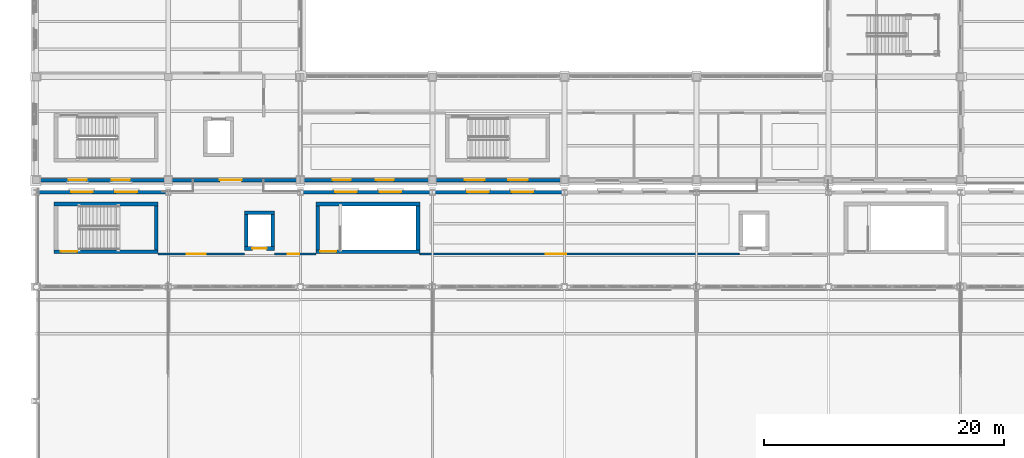
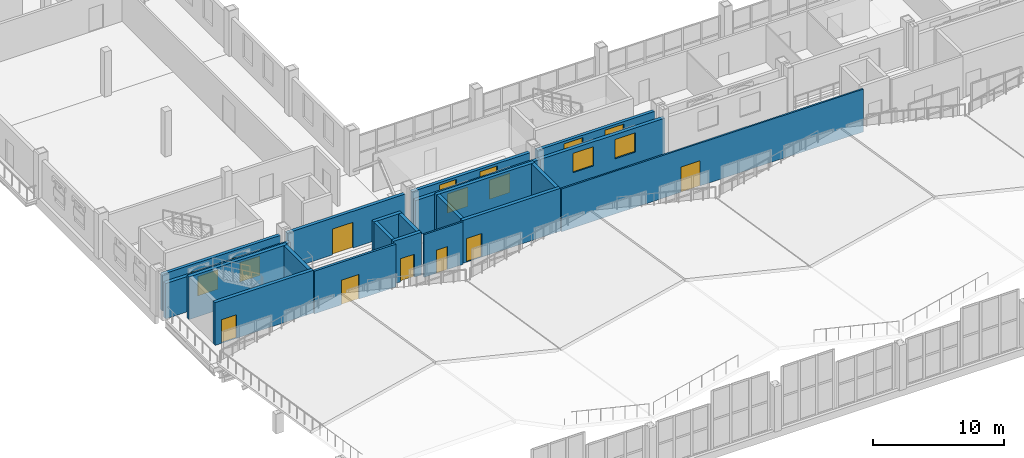
# One storey, part 94 of 120: 21 walls, 12 windows, 7 doors, 19 openings.
"""IFC4 building model written with IfcOpenShell, lengths in metres."""

from ifc_helpers import new_model, si_unit, direction, frame, frame_2d, origin, place, context, subcontext, project, spatial, rectangle, extrude, material, layer, layer_set, type_object, element, fill, save


model = new_model("IFC4")

# Units and contexts
model_context = context("Model", 3, precision=1e-05, world=origin(), true_north=direction((0.0, 1.0)))
body_context = subcontext(model_context, "Body", "Model", "MODEL_VIEW")
ifc_project = project(units=[si_unit("LENGTHUNIT", "METRE"), si_unit("AREAUNIT", "SQUARE_METRE"), si_unit("VOLUMEUNIT", "CUBIC_METRE"), si_unit("PLANEANGLEUNIT", "RADIAN"), si_unit("MASSUNIT", "GRAM", prefix="KILO")], contexts=[model_context])

# Site, building, storey
site_placement = place(None, origin())
site = spatial("IfcSite", under=ifc_project, at=site_placement, CompositionType="ELEMENT")
building_placement = place(site_placement, origin())
building = spatial("IfcBuilding", under=site, at=building_placement, Name="Caurita Quay Ferry Terminal", CompositionType="ELEMENT")
storey_placement = place(building_placement, frame((0.0, 0.0, 9.89990234375)))
storey = spatial("IfcBuildingStorey", under=building, at=storey_placement, Name="L02", CompositionType="ELEMENT", Elevation=9.89990234375)

# Wall, opening, door
ifc_material_1 = material(Name="Reinforced concrete C35/45", Category="concrete")
ifc_layer_1 = layer(ifc_material_1, 0.300048828125, Name="Interior shear wall 300 mm")
ifc_layer_set_1 = layer_set([ifc_layer_1], Name="Reinforced concrete C35/45")
wall_type_1 = type_object("IfcWallType", Name="WL-CORE-300", PredefinedType="SHEAR", material=ifc_layer_set_1)
wall_1_placement = place(storey_placement, frame((1.5, 65.64990234375, 0.0), z_axis=(0.0, 0.0, 1.0), x_axis=(1.0, 0.0, 0.0)))
wall_1 = element("IfcWall", 1, at=wall_1_placement, inside=storey, type_object=wall_type_1, Name="L02 ST-05 Core Wall South", PredefinedType="SHEAR", context=body_context, shape_type="SweptSolid", body=[
    extrude(rectangle(XDim=8.64990234375, YDim=0.300048828125, at=frame_2d((4.324951171875, 0.0))), origin(), (0.0, 0.0, 1.0), 3.97998046875),
])
opening_1_placement = place(wall_1_placement, frame((0.550048828125, 0.0, 0.0)))
opening_1 = element("IfcOpeningElement", 2, at=opening_1_placement, cuts=wall_1, Name="Opening SD-01", PredefinedType="OPENING", context=body_context, shape_type="SweptSolid", body=[
    extrude(rectangle(XDim=1.35009765625, YDim=2.199951171875, at=frame_2d((0.675048828125, 1.10009765625))), frame((0.0, 0.159912109375, 0.0), z_axis=(0.0, -1.0, 0.0), x_axis=(1.0, 0.0, 0.0)), (0.0, 0.0, 1.0), 0.320068359375),
])
ifc_material_2 = material(Name="Anodized aluminium 6063-T6", Category="aluminium")
door_type_1 = type_object("IfcDoorType", Name="DR-ST-1200", OperationType="NOTDEFINED", PredefinedType="DOOR", material=ifc_material_2)
door_1_placement = place(opening_1_placement, origin())
door_1 = element("IfcDoor", 3, at=door_1_placement, inside=storey, type_object=door_type_1, Name="L02 Exit Stair ST-05 Fire Door", OperationType="SINGLE_SWING_RIGHT", OverallHeight=2.199951171875, OverallWidth=1.35009765625, PredefinedType="DOOR", context=body_context, shape_type="SweptSolid", body=[
    extrude(rectangle(XDim=1.35009765625, YDim=2.199951171875, at=frame_2d((0.675048828125, 1.10009765625))), frame((0.0, 0.02490234375, 0.0), z_axis=(0.0, -1.0, 0.0), x_axis=(1.0, 0.0, 0.0)), (0.0, 0.0, 1.0), 0.050048828125),
])
fill(opening_1, door_1)

# Walls
wall_2_placement = place(storey_placement, frame((10.14990234375, 69.610107421875, 0.0), z_axis=(0.0, 0.0, 1.0), x_axis=(-1.0, 0.0, 0.0)))
element("IfcWall", 4, at=wall_2_placement, inside=storey, type_object=wall_type_1, Name="L02 ST-05 Core Wall North", PredefinedType="SHEAR", context=body_context, shape_type="SweptSolid", body=[
    extrude(rectangle(XDim=8.64990234375, YDim=0.300048828125, at=frame_2d((4.324951171875, 0.0))), origin(), (0.0, 0.0, 1.0), 3.97998046875),
])
wall_3_placement = place(storey_placement, frame((10.0, 65.800048828125, 0.0), z_axis=(0.0, 0.0, 1.0), x_axis=(0.0, 1.0, 0.0)))
element("IfcWall", 5, at=wall_3_placement, inside=storey, type_object=wall_type_1, Name="L02 ST-05 Core Wall East", PredefinedType="SHEAR", context=body_context, shape_type="SweptSolid", body=[
    extrude(rectangle(XDim=3.659912109375, YDim=0.300048828125, at=frame_2d((1.830078125, 0.0))), origin(), (0.0, 0.0, 1.0), 3.97998046875),
])

# Wall, opening, door
wall_4_placement = place(storey_placement, frame((23.300048828125, 65.64990234375, 0.0), z_axis=(0.0, 0.0, 1.0), x_axis=(1.0, 0.0, 0.0)))
wall_4 = element("IfcWall", 6, at=wall_4_placement, inside=storey, type_object=wall_type_1, Name="L02 ST-06 Core Wall South", PredefinedType="SHEAR", context=body_context, shape_type="SweptSolid", body=[
    extrude(rectangle(XDim=8.64990234375, YDim=0.300048828125, at=frame_2d((4.324951171875, 0.0))), origin(), (0.0, 0.0, 1.0), 3.989990234375),
])
opening_2_placement = place(wall_4_placement, frame((0.35009765625, 0.0, 0.0)))
opening_2 = element("IfcOpeningElement", 7, at=opening_2_placement, cuts=wall_4, Name="Opening SD-01", PredefinedType="OPENING", context=body_context, shape_type="SweptSolid", body=[
    extrude(rectangle(XDim=1.35009765625, YDim=2.199951171875, at=frame_2d((0.675048828125, 1.10009765625))), frame((0.0, 0.159912109375, 0.0), z_axis=(0.0, -1.0, 0.0), x_axis=(1.0, 0.0, 0.0)), (0.0, 0.0, 1.0), 0.320068359375),
])
door_2_placement = place(opening_2_placement, origin())
door_2 = element("IfcDoor", 8, at=door_2_placement, inside=storey, type_object=door_type_1, Name="L02 Exit Stair ST-06 Fire Door", OperationType="SINGLE_SWING_RIGHT", OverallHeight=2.199951171875, OverallWidth=1.35009765625, PredefinedType="DOOR", context=body_context, shape_type="SweptSolid", body=[
    extrude(rectangle(XDim=1.35009765625, YDim=2.199951171875, at=frame_2d((0.675048828125, 1.10009765625))), frame((0.0, 0.02490234375, 0.0), z_axis=(0.0, -1.0, 0.0), x_axis=(1.0, 0.0, 0.0)), (0.0, 0.0, 1.0), 0.050048828125),
])
fill(opening_2, door_2)

# Walls
wall_5_placement = place(storey_placement, frame((31.949951171875, 69.610107421875, 0.0), z_axis=(0.0, 0.0, 1.0), x_axis=(-1.0, 0.0, 0.0)))
element("IfcWall", 9, at=wall_5_placement, inside=storey, type_object=wall_type_1, Name="L02 ST-06 Core Wall North", PredefinedType="SHEAR", context=body_context, shape_type="SweptSolid", body=[
    extrude(rectangle(XDim=8.64990234375, YDim=0.300048828125, at=frame_2d((4.324951171875, 0.0))), origin(), (0.0, 0.0, 1.0), 3.989990234375),
])
for number, where, z_axis, x_axis, name in (
    (10, (23.449951171875, 69.4599609375, 0.0), (0.0, 0.0, 1.0), (0.0, -1.0, 0.0), "L02 ST-06 Core Wall West"),
    (11, (31.800048828125, 65.800048828125, 0.0), (0.0, 0.0, 1.0), (0.0, 1.0, 0.0), "L02 ST-06 Core Wall East"),
):
    element("IfcWall", number, at=place(storey_placement, frame(where, z_axis=z_axis, x_axis=x_axis)), inside=storey, type_object=wall_type_1, Name=name, PredefinedType="SHEAR", context=body_context, shape_type="SweptSolid", body=[
        extrude(rectangle(XDim=3.659912109375, YDim=0.300048828125, at=frame_2d((1.830078125, 0.0))), origin(), (0.0, 0.0, 1.0), 3.989990234375),
    ])

# Wall, opening, door
wall_6_placement = place(storey_placement, frame((17.35498046875, 65.905029296875, 0.0), z_axis=(0.0, 0.0, 1.0), x_axis=(1.0, 0.0, 0.0)))
wall_6 = element("IfcWall", 12, at=wall_6_placement, inside=storey, type_object=wall_type_1, Name="L02 Lift LP-01 Shaft Wall South", PredefinedType="SHEAR", context=body_context, shape_type="SweptSolid", body=[
    extrude(rectangle(XDim=2.489990234375, YDim=0.300048828125, at=frame_2d((1.2451171875, 0.0))), origin(), (0.0, 0.0, 1.0), 3.97998046875),
])
opening_3_placement = place(wall_6_placement, frame((0.64501953125, 0.0, 0.0)))
opening_3 = element("IfcOpeningElement", 13, at=opening_3_placement, cuts=wall_6, Name="Opening LD-02", PredefinedType="OPENING", context=body_context, shape_type="SweptSolid", body=[
    extrude(rectangle(XDim=1.199951171875, YDim=2.14990234375, at=frame_2d((0.60009765625, 1.074951171875))), frame((0.0, 0.159912109375, 0.0), z_axis=(0.0, -1.0, 0.0), x_axis=(1.0, 0.0, 0.0)), (0.0, 0.0, 1.0), 0.320068359375),
])
ifc_material_3 = material(Name="Bronze architectural metalwork", Category="metal")
door_type_2 = type_object("IfcDoorType", Name="DR-LD-02", OperationType="DOUBLE_DOOR_SLIDING", PredefinedType="DOOR", material=ifc_material_3)
door_3_placement = place(opening_3_placement, frame((1.199951171875, 0.0, 0.0), z_axis=(0.0, 0.0, 1.0), x_axis=(-1.0, 0.0, 0.0)))
door_3 = element("IfcDoor", 14, at=door_3_placement, inside=storey, type_object=door_type_2, Name="L02 Lift LP-01 Sliding Landing Door", OperationType="DOUBLE_DOOR_SLIDING", OverallHeight=2.14990234375, OverallWidth=1.199951171875, PredefinedType="DOOR", context=body_context, shape_type="SweptSolid", body=[
    extrude(rectangle(XDim=1.199951171875, YDim=2.14990234375, at=frame_2d((0.60009765625, 1.074951171875))), frame((0.0, 0.02490234375, 0.0), z_axis=(0.0, -1.0, 0.0), x_axis=(1.0, 0.0, 0.0)), (0.0, 0.0, 1.0), 0.050048828125),
])
fill(opening_3, door_3)

# Walls
wall_7_placement = place(storey_placement, frame((19.844970703125, 68.89501953125, 0.0), z_axis=(0.0, 0.0, 1.0), x_axis=(-1.0, 0.0, 0.0)))
element("IfcWall", 15, at=wall_7_placement, inside=storey, type_object=wall_type_1, Name="L02 Lift LP-01 Shaft Wall North", PredefinedType="SHEAR", context=body_context, shape_type="SweptSolid", body=[
    extrude(rectangle(XDim=2.489990234375, YDim=0.300048828125, at=frame_2d((1.2451171875, 0.0))), origin(), (0.0, 0.0, 1.0), 3.97998046875),
])
for number, where, z_axis, x_axis, name in (
    (16, (17.5048828125, 68.7451171875, 0.0), (0.0, 0.0, 1.0), (0.0, -1.0, 0.0), "L02 Lift LP-01 Shaft Wall West"),
    (17, (19.695068359375, 66.054931640625, 0.0), (0.0, 0.0, 1.0), (0.0, 1.0, 0.0), "L02 Lift LP-01 Shaft Wall East"),
):
    element("IfcWall", number, at=place(storey_placement, frame(where, z_axis=z_axis, x_axis=x_axis)), inside=storey, type_object=wall_type_1, Name=name, PredefinedType="SHEAR", context=body_context, shape_type="SweptSolid", body=[
        extrude(rectangle(XDim=2.690185546875, YDim=0.300048828125, at=frame_2d((1.34521484375, 0.0))), origin(), (0.0, 0.0, 1.0), 3.97998046875),
    ])

# Wall, opening, door
ifc_material_4 = material(Name="Warm-white lime stucco masonry", Category="masonry")
ifc_layer_2 = layer(ifc_material_4, 0.199951171875, Name="Interior partitioning wall 200 mm")
ifc_layer_set_2 = layer_set([ifc_layer_2], Name="Warm-white lime stucco masonry")
wall_type_2 = type_object("IfcWallType", Name="WL-CORR-200", PredefinedType="PARTITIONING", material=ifc_layer_set_2)
wall_8_placement = place(storey_placement, frame((10.159912109375, 65.449951171875, 0.0), z_axis=(0.0, 0.0, 1.0), x_axis=(1.0, 0.0, 0.0)))
wall_8 = element("IfcWall", 18, at=wall_8_placement, inside=storey, type_object=wall_type_2, Name="L02 Interior Partition IW-L02-074", PredefinedType="PARTITIONING", context=body_context, shape_type="SweptSolid", body=[
    extrude(rectangle(XDim=7.190185546875, YDim=0.199951171875, at=frame_2d((3.59521484375, 0.0))), origin(), (0.0, 0.0, 1.0), 3.97998046875),
])
opening_4_placement = place(wall_8_placement, frame((2.39990234375, 0.0, 0.0)))
opening_4 = element("IfcOpeningElement", 19, at=opening_4_placement, cuts=wall_8, Name="Opening ID-10", PredefinedType="OPENING", context=body_context, shape_type="SweptSolid", body=[
    extrude(rectangle(XDim=1.550048828125, YDim=2.300048828125, at=frame_2d((0.77490234375, 1.14990234375))), frame((0.0, 0.10986328125, 0.0), z_axis=(0.0, -1.0, 0.0), x_axis=(1.0, 0.0, 0.0)), (0.0, 0.0, 1.0), 0.219970703125),
])
ifc_material_5 = material(Name="Tropical mahogany hardwood", Category="wood")
door_type_3 = type_object("IfcDoorType", Name="DR-CONC-1550", OperationType="NOTDEFINED", PredefinedType="DOOR", material=ifc_material_5)
door_4_placement = place(opening_4_placement, origin())
door_4 = element("IfcDoor", 20, at=door_4_placement, inside=storey, type_object=door_type_3, Name="Mezzanine Lift Lobby West Gallery Door", OperationType="SINGLE_SWING_LEFT", OverallHeight=2.300048828125, OverallWidth=1.550048828125, PredefinedType="DOOR", context=body_context, shape_type="SweptSolid", body=[
    extrude(rectangle(XDim=1.550048828125, YDim=2.300048828125, at=frame_2d((0.77490234375, 1.14990234375))), frame((0.0, 0.02490234375, 0.0), z_axis=(0.0, -1.0, 0.0), x_axis=(1.0, 0.0, 0.0)), (0.0, 0.0, 1.0), 0.050048828125),
])
fill(opening_4, door_4)

# Wall, openings, windows
ifc_layer_3 = layer(ifc_material_4, 0.280029296875, Name="Exterior solidwall wall 280 mm")
ifc_layer_set_3 = layer_set([ifc_layer_3], Name="Warm-white lime stucco masonry")
wall_type_3 = type_object("IfcWallType", Name="WL-EXT-280", PredefinedType="SOLIDWALL", material=ifc_layer_set_3)
wall_9_placement = place(storey_placement, frame((0.298095703125, 71.60009765625, 0.0), z_axis=(0.0, 0.0, 1.0), x_axis=(1.0, 0.0, 0.0)))
wall_9 = element("IfcWall", 21, at=wall_9_placement, inside=storey, type_object=wall_type_3, Name="L02 Exterior Wall EW-L02-069", PredefinedType="SOLIDWALL", context=body_context, shape_type="SweptSolid", body=[
    extrude(rectangle(XDim=10.40380859375, YDim=0.280029296875, at=frame_2d((5.201904296875, 0.0))), origin(), (0.0, 0.0, 1.0), 3.425048828125),
])
opening_5_placement = place(wall_9_placement, frame((2.402099609375, 0.0, 0.949951171875)))
opening_5 = element("IfcOpeningElement", 22, at=opening_5_placement, cuts=wall_9, Name="Opening W-06", PredefinedType="OPENING", context=body_context, shape_type="SweptSolid", body=[
    extrude(rectangle(XDim=1.5, YDim=1.800048828125, at=frame_2d((0.75, 0.89990234375))), frame((0.0, 0.14990234375, 0.0), z_axis=(0.0, -1.0, 0.0), x_axis=(1.0, 0.0, 0.0)), (0.0, 0.0, 1.0), 0.300048828125),
])
opening_6_placement = place(wall_9_placement, frame((6.001953125, 0.0, 0.949951171875)))
opening_6 = element("IfcOpeningElement", 23, at=opening_6_placement, cuts=wall_9, Name="Opening W-06", PredefinedType="OPENING", context=body_context, shape_type="SweptSolid", body=[
    extrude(rectangle(XDim=1.5, YDim=1.800048828125, at=frame_2d((0.75, 0.89990234375))), frame((0.0, 0.14990234375, 0.0), z_axis=(0.0, -1.0, 0.0), x_axis=(1.0, 0.0, 0.0)), (0.0, 0.0, 1.0), 0.300048828125),
])
ifc_material_6 = material(Name="Laminated solar-control insulated glass", Category="glass")
window_type_1 = type_object("IfcWindowType", Name="WIN-SC-1518", PartitioningType="SINGLE_PANEL", PredefinedType="WINDOW", material=ifc_material_6)
window_1_placement = place(opening_5_placement, origin())
window_1 = element("IfcWindow", 24, at=window_1_placement, inside=storey, type_object=window_type_1, Name="L02 Casement Window WN-L02-103", OverallHeight=1.800048828125, OverallWidth=1.5, PartitioningType="SINGLE_PANEL", PredefinedType="WINDOW", context=body_context, shape_type="SweptSolid", body=[
    extrude(rectangle(XDim=1.5, YDim=1.800048828125, at=frame_2d((0.75, 0.89990234375))), frame((0.0, 0.030029296875, 0.0), z_axis=(0.0, -1.0, 0.0), x_axis=(1.0, 0.0, 0.0)), (0.0, 0.0, 1.0), 0.06005859375),
])
fill(opening_5, window_1)
window_2_placement = place(opening_6_placement, origin())
window_2 = element("IfcWindow", 25, at=window_2_placement, inside=storey, type_object=window_type_1, Name="L02 Casement Window WN-L02-104", OverallHeight=1.800048828125, OverallWidth=1.5, PartitioningType="SINGLE_PANEL", PredefinedType="WINDOW", context=body_context, shape_type="SweptSolid", body=[
    extrude(rectangle(XDim=1.5, YDim=1.800048828125, at=frame_2d((0.75, 0.89990234375))), frame((0.0, 0.030029296875, 0.0), z_axis=(0.0, -1.0, 0.0), x_axis=(1.0, 0.0, 0.0)), (0.0, 0.0, 1.0), 0.06005859375),
])
fill(opening_6, window_2)

# Wall, opening, door
wall_10_placement = place(storey_placement, frame((11.298095703125, 71.60009765625, 0.0), z_axis=(0.0, 0.0, 1.0), x_axis=(1.0, 0.0, 0.0)))
wall_10 = element("IfcWall", 26, at=wall_10_placement, inside=storey, type_object=wall_type_3, Name="L02 Exterior Wall EW-L02-070", PredefinedType="SOLIDWALL", context=body_context, shape_type="SweptSolid", body=[
    extrude(rectangle(XDim=10.40380859375, YDim=0.280029296875, at=frame_2d((5.201904296875, 0.0))), origin(), (0.0, 0.0, 1.0), 3.425048828125),
])
opening_7_placement = place(wall_10_placement, frame((4.001953125, 0.0, 0.0)))
opening_7 = element("IfcOpeningElement", 27, at=opening_7_placement, cuts=wall_10, Name="Opening ED-03", PredefinedType="OPENING", context=body_context, shape_type="SweptSolid", body=[
    extrude(rectangle(XDim=1.800048828125, YDim=2.39990234375, at=frame_2d((0.89990234375, 1.199951171875))), frame((0.0, 0.14990234375, 0.0), z_axis=(0.0, -1.0, 0.0), x_axis=(1.0, 0.0, 0.0)), (0.0, 0.0, 1.0), 0.300048828125),
])
door_type_4 = type_object("IfcDoorType", Name="DR-EXT-1824", OperationType="NOTDEFINED", PredefinedType="DOOR", material=ifc_material_2)
door_5_placement = place(opening_7_placement, frame((1.800048828125, 0.0, 0.0), z_axis=(0.0, 0.0, 1.0), x_axis=(-1.0, 0.0, 0.0)))
door_5 = element("IfcDoor", 28, at=door_5_placement, inside=storey, type_object=door_type_4, Name="L02 Seismic Link Door SJ4-W", OperationType="SINGLE_SWING_RIGHT", OverallHeight=2.39990234375, OverallWidth=1.800048828125, PredefinedType="DOOR", context=body_context, shape_type="SweptSolid", body=[
    extrude(rectangle(XDim=1.800048828125, YDim=2.39990234375, at=frame_2d((0.89990234375, 1.199951171875))), frame((0.0, 0.02490234375, 0.0), z_axis=(0.0, -1.0, 0.0), x_axis=(1.0, 0.0, 0.0)), (0.0, 0.0, 1.0), 0.050048828125),
])
fill(opening_7, door_5)

# Wall, openings, windows
wall_11_placement = place(storey_placement, frame((22.298095703125, 71.60009765625, 0.0), z_axis=(0.0, 0.0, 1.0), x_axis=(1.0, 0.0, 0.0)))
wall_11 = element("IfcWall", 29, at=wall_11_placement, inside=storey, type_object=wall_type_3, Name="L02 Exterior Wall EW-L02-071", PredefinedType="SOLIDWALL", context=body_context, shape_type="SweptSolid", body=[
    extrude(rectangle(XDim=10.40380859375, YDim=0.280029296875, at=frame_2d((5.201904296875, 0.0))), origin(), (0.0, 0.0, 1.0), 3.425048828125),
])
opening_8_placement = place(wall_11_placement, frame((2.402099609375, 0.0, 0.949951171875)))
opening_8 = element("IfcOpeningElement", 30, at=opening_8_placement, cuts=wall_11, Name="Opening W-07", PredefinedType="OPENING", context=body_context, shape_type="SweptSolid", body=[
    extrude(rectangle(XDim=1.5, YDim=2.25, at=frame_2d((0.75, 1.125))), frame((0.0, 0.14990234375, 0.0), z_axis=(0.0, -1.0, 0.0), x_axis=(1.0, 0.0, 0.0)), (0.0, 0.0, 1.0), 0.300048828125),
])
opening_9_placement = place(wall_11_placement, frame((6.001953125, 0.0, 0.949951171875)))
opening_9 = element("IfcOpeningElement", 31, at=opening_9_placement, cuts=wall_11, Name="Opening W-07", PredefinedType="OPENING", context=body_context, shape_type="SweptSolid", body=[
    extrude(rectangle(XDim=1.5, YDim=2.25, at=frame_2d((0.75, 1.125))), frame((0.0, 0.14990234375, 0.0), z_axis=(0.0, -1.0, 0.0), x_axis=(1.0, 0.0, 0.0)), (0.0, 0.0, 1.0), 0.300048828125),
])
window_type_2 = type_object("IfcWindowType", Name="WIN-SC-1522", PartitioningType="SINGLE_PANEL", PredefinedType="WINDOW", material=ifc_material_6)
window_3_placement = place(opening_8_placement, origin())
window_3 = element("IfcWindow", 32, at=window_3_placement, inside=storey, type_object=window_type_2, Name="L02 Casement Window WN-L02-105", OverallHeight=2.25, OverallWidth=1.5, PartitioningType="SINGLE_PANEL", PredefinedType="WINDOW", context=body_context, shape_type="SweptSolid", body=[
    extrude(rectangle(XDim=1.5, YDim=2.25, at=frame_2d((0.75, 1.125))), frame((0.0, 0.030029296875, 0.0), z_axis=(0.0, -1.0, 0.0), x_axis=(1.0, 0.0, 0.0)), (0.0, 0.0, 1.0), 0.06005859375),
])
fill(opening_8, window_3)
window_4_placement = place(opening_9_placement, origin())
window_4 = element("IfcWindow", 33, at=window_4_placement, inside=storey, type_object=window_type_2, Name="L02 Casement Window WN-L02-106", OverallHeight=2.25, OverallWidth=1.5, PartitioningType="SINGLE_PANEL", PredefinedType="WINDOW", context=body_context, shape_type="SweptSolid", body=[
    extrude(rectangle(XDim=1.5, YDim=2.25, at=frame_2d((0.75, 1.125))), frame((0.0, 0.030029296875, 0.0), z_axis=(0.0, -1.0, 0.0), x_axis=(1.0, 0.0, 0.0)), (0.0, 0.0, 1.0), 0.06005859375),
])
fill(opening_9, window_4)

wall_12_placement = place(storey_placement, frame((33.298095703125, 71.60009765625, 0.0), z_axis=(0.0, 0.0, 1.0), x_axis=(1.0, 0.0, 0.0)))
wall_12 = element("IfcWall", 34, at=wall_12_placement, inside=storey, type_object=wall_type_3, Name="L02 Exterior Wall EW-L02-072", PredefinedType="SOLIDWALL", context=body_context, shape_type="SweptSolid", body=[
    extrude(rectangle(XDim=10.40380859375, YDim=0.280029296875, at=frame_2d((5.201904296875, 0.0))), origin(), (0.0, 0.0, 1.0), 3.425048828125),
])
opening_10_placement = place(wall_12_placement, frame((2.402099609375, 0.0, 0.949951171875)))
opening_10 = element("IfcOpeningElement", 35, at=opening_10_placement, cuts=wall_12, Name="Opening W-08", PredefinedType="OPENING", context=body_context, shape_type="SweptSolid", body=[
    extrude(rectangle(XDim=1.64990234375, YDim=2.25, at=frame_2d((0.824951171875, 1.125))), frame((0.0, 0.14990234375, 0.0), z_axis=(0.0, -1.0, 0.0), x_axis=(1.0, 0.0, 0.0)), (0.0, 0.0, 1.0), 0.300048828125),
])
opening_11_placement = place(wall_12_placement, frame((6.001953125, 0.0, 0.949951171875)))
opening_11 = element("IfcOpeningElement", 36, at=opening_11_placement, cuts=wall_12, Name="Opening W-08", PredefinedType="OPENING", context=body_context, shape_type="SweptSolid", body=[
    extrude(rectangle(XDim=1.64990234375, YDim=2.25, at=frame_2d((0.824951171875, 1.125))), frame((0.0, 0.14990234375, 0.0), z_axis=(0.0, -1.0, 0.0), x_axis=(1.0, 0.0, 0.0)), (0.0, 0.0, 1.0), 0.300048828125),
])
window_type_3 = type_object("IfcWindowType", Name="WIN-SC-16522", PartitioningType="SINGLE_PANEL", PredefinedType="WINDOW", material=ifc_material_6)
window_5_placement = place(opening_10_placement, origin())
window_5 = element("IfcWindow", 37, at=window_5_placement, inside=storey, type_object=window_type_3, Name="L02 Casement Window WN-L02-107", OverallHeight=2.25, OverallWidth=1.64990234375, PartitioningType="SINGLE_PANEL", PredefinedType="WINDOW", context=body_context, shape_type="SweptSolid", body=[
    extrude(rectangle(XDim=1.64990234375, YDim=2.25, at=frame_2d((0.824951171875, 1.125))), frame((0.0, 0.030029296875, 0.0), z_axis=(0.0, -1.0, 0.0), x_axis=(1.0, 0.0, 0.0)), (0.0, 0.0, 1.0), 0.06005859375),
])
fill(opening_10, window_5)
window_6_placement = place(opening_11_placement, origin())
window_6 = element("IfcWindow", 38, at=window_6_placement, inside=storey, type_object=window_type_3, Name="L02 Casement Window WN-L02-108", OverallHeight=2.25, OverallWidth=1.64990234375, PartitioningType="SINGLE_PANEL", PredefinedType="WINDOW", context=body_context, shape_type="SweptSolid", body=[
    extrude(rectangle(XDim=1.64990234375, YDim=2.25, at=frame_2d((0.824951171875, 1.125))), frame((0.0, 0.030029296875, 0.0), z_axis=(0.0, -1.0, 0.0), x_axis=(1.0, 0.0, 0.0)), (0.0, 0.0, 1.0), 0.06005859375),
])
fill(opening_11, window_6)

ifc_layer_4 = layer(ifc_material_4, 0.31005859375, Name="Exterior solidwall wall 310 mm")
ifc_layer_set_4 = layer_set([ifc_layer_4], Name="Warm-white lime stucco masonry")
wall_type_4 = type_object("IfcWallType", Name="WL-EXT-310", PredefinedType="SOLIDWALL", material=ifc_layer_set_4)
wall_13_placement = place(storey_placement, frame((10.995361328125, 70.60009765625, 0.0), z_axis=(0.0, 0.0, 1.0), x_axis=(-1.0, 0.0, 0.0)))
wall_13 = element("IfcWall", 39, at=wall_13_placement, inside=storey, type_object=wall_type_4, Name="L02 Exterior Wall EW-L02-190", PredefinedType="SOLIDWALL", context=body_context, shape_type="SweptSolid", body=[
    extrude(rectangle(XDim=10.99072265625, YDim=0.31005859375, at=frame_2d((5.495361328125, 0.0))), origin(), (0.0, 0.0, 1.0), 3.2919921875),
])
opening_12_placement = place(wall_13_placement, frame((2.59521484375, 0.0, 1.050048828125)))
opening_12 = element("IfcOpeningElement", 40, at=opening_12_placement, cuts=wall_13, Name="Opening W-09", PredefinedType="OPENING", context=body_context, shape_type="SweptSolid", body=[
    extrude(rectangle(XDim=1.800048828125, YDim=1.800048828125, at=frame_2d((0.89990234375, 0.89990234375))), frame((0.0, 0.1650390625, 0.0), z_axis=(0.0, -1.0, 0.0), x_axis=(1.0, 0.0, 0.0)), (0.0, 0.0, 1.0), 0.330078125),
])
opening_13_placement = place(wall_13_placement, frame((6.29541015625, 0.0, 1.050048828125)))
opening_13 = element("IfcOpeningElement", 41, at=opening_13_placement, cuts=wall_13, Name="Opening W-09", PredefinedType="OPENING", context=body_context, shape_type="SweptSolid", body=[
    extrude(rectangle(XDim=1.800048828125, YDim=1.800048828125, at=frame_2d((0.89990234375, 0.89990234375))), frame((0.0, 0.1650390625, 0.0), z_axis=(0.0, -1.0, 0.0), x_axis=(1.0, 0.0, 0.0)), (0.0, 0.0, 1.0), 0.330078125),
])
window_type_4 = type_object("IfcWindowType", Name="WIN-SC-1818", PartitioningType="SINGLE_PANEL", PredefinedType="WINDOW", material=ifc_material_6)
window_7_placement = place(opening_12_placement, origin())
window_7 = element("IfcWindow", 42, at=window_7_placement, inside=storey, type_object=window_type_4, Name="L02 Casement Window WN-L02-289", OverallHeight=1.800048828125, OverallWidth=1.800048828125, PartitioningType="SINGLE_PANEL", PredefinedType="WINDOW", context=body_context, shape_type="SweptSolid", body=[
    extrude(rectangle(XDim=1.800048828125, YDim=1.800048828125, at=frame_2d((0.89990234375, 0.89990234375))), frame((0.0, 0.030029296875, 0.0), z_axis=(0.0, -1.0, 0.0), x_axis=(1.0, 0.0, 0.0)), (0.0, 0.0, 1.0), 0.06005859375),
])
fill(opening_12, window_7)
window_8_placement = place(opening_13_placement, origin())
window_8 = element("IfcWindow", 43, at=window_8_placement, inside=storey, type_object=window_type_4, Name="L02 Casement Window WN-L02-290", OverallHeight=1.800048828125, OverallWidth=1.800048828125, PartitioningType="SINGLE_PANEL", PredefinedType="WINDOW", context=body_context, shape_type="SweptSolid", body=[
    extrude(rectangle(XDim=1.800048828125, YDim=1.800048828125, at=frame_2d((0.89990234375, 0.89990234375))), frame((0.0, 0.030029296875, 0.0), z_axis=(0.0, -1.0, 0.0), x_axis=(1.0, 0.0, 0.0)), (0.0, 0.0, 1.0), 0.06005859375),
])
fill(opening_13, window_8)

wall_14_placement = place(storey_placement, frame((32.995361328125, 70.60009765625, 0.0), z_axis=(0.0, 0.0, 1.0), x_axis=(-1.0, 0.0, 0.0)))
wall_14 = element("IfcWall", 44, at=wall_14_placement, inside=storey, type_object=wall_type_4, Name="L02 Exterior Wall EW-L02-191", PredefinedType="SOLIDWALL", context=body_context, shape_type="SweptSolid", body=[
    extrude(rectangle(XDim=10.99072265625, YDim=0.31005859375, at=frame_2d((5.495361328125, 0.0))), origin(), (0.0, 0.0, 1.0), 3.302001953125),
])
opening_14_placement = place(wall_14_placement, frame((2.595458984375, 0.0, 1.050048828125)))
opening_14 = element("IfcOpeningElement", 45, at=opening_14_placement, cuts=wall_14, Name="Opening W-09", PredefinedType="OPENING", context=body_context, shape_type="SweptSolid", body=[
    extrude(rectangle(XDim=1.800048828125, YDim=1.800048828125, at=frame_2d((0.89990234375, 0.89990234375))), frame((0.0, 0.1650390625, 0.0), z_axis=(0.0, -1.0, 0.0), x_axis=(1.0, 0.0, 0.0)), (0.0, 0.0, 1.0), 0.330078125),
])
opening_15_placement = place(wall_14_placement, frame((6.29541015625, 0.0, 1.050048828125)))
opening_15 = element("IfcOpeningElement", 46, at=opening_15_placement, cuts=wall_14, Name="Opening W-09", PredefinedType="OPENING", context=body_context, shape_type="SweptSolid", body=[
    extrude(rectangle(XDim=1.800048828125, YDim=1.800048828125, at=frame_2d((0.89990234375, 0.89990234375))), frame((0.0, 0.1650390625, 0.0), z_axis=(0.0, -1.0, 0.0), x_axis=(1.0, 0.0, 0.0)), (0.0, 0.0, 1.0), 0.330078125),
])
window_9_placement = place(opening_14_placement, origin())
window_9 = element("IfcWindow", 47, at=window_9_placement, inside=storey, type_object=window_type_4, Name="L02 Casement Window WN-L02-291", OverallHeight=1.800048828125, OverallWidth=1.800048828125, PartitioningType="SINGLE_PANEL", PredefinedType="WINDOW", context=body_context, shape_type="SweptSolid", body=[
    extrude(rectangle(XDim=1.800048828125, YDim=1.800048828125, at=frame_2d((0.89990234375, 0.89990234375))), frame((0.0, 0.030029296875, 0.0), z_axis=(0.0, -1.0, 0.0), x_axis=(1.0, 0.0, 0.0)), (0.0, 0.0, 1.0), 0.06005859375),
])
fill(opening_14, window_9)
window_10_placement = place(opening_15_placement, origin())
window_10 = element("IfcWindow", 48, at=window_10_placement, inside=storey, type_object=window_type_4, Name="L02 Casement Window WN-L02-292", OverallHeight=1.800048828125, OverallWidth=1.800048828125, PartitioningType="SINGLE_PANEL", PredefinedType="WINDOW", context=body_context, shape_type="SweptSolid", body=[
    extrude(rectangle(XDim=1.800048828125, YDim=1.800048828125, at=frame_2d((0.89990234375, 0.89990234375))), frame((0.0, 0.030029296875, 0.0), z_axis=(0.0, -1.0, 0.0), x_axis=(1.0, 0.0, 0.0)), (0.0, 0.0, 1.0), 0.06005859375),
])
fill(opening_15, window_10)

wall_15_placement = place(storey_placement, frame((43.995361328125, 70.60009765625, 0.0), z_axis=(0.0, 0.0, 1.0), x_axis=(-1.0, 0.0, 0.0)))
wall_15 = element("IfcWall", 49, at=wall_15_placement, inside=storey, type_object=wall_type_4, Name="L02 Exterior Wall EW-L02-192", PredefinedType="SOLIDWALL", context=body_context, shape_type="SweptSolid", body=[
    extrude(rectangle(XDim=10.99072265625, YDim=0.31005859375, at=frame_2d((5.495361328125, 0.0))), origin(), (0.0, 0.0, 1.0), 3.302001953125),
])
opening_16_placement = place(wall_15_placement, frame((2.595458984375, 0.0, 1.050048828125)))
opening_16 = element("IfcOpeningElement", 50, at=opening_16_placement, cuts=wall_15, Name="Opening W-09", PredefinedType="OPENING", context=body_context, shape_type="SweptSolid", body=[
    extrude(rectangle(XDim=1.800048828125, YDim=1.800048828125, at=frame_2d((0.89990234375, 0.89990234375))), frame((0.0, 0.1650390625, 0.0), z_axis=(0.0, -1.0, 0.0), x_axis=(1.0, 0.0, 0.0)), (0.0, 0.0, 1.0), 0.330078125),
])
opening_17_placement = place(wall_15_placement, frame((6.29541015625, 0.0, 1.050048828125)))
opening_17 = element("IfcOpeningElement", 51, at=opening_17_placement, cuts=wall_15, Name="Opening W-09", PredefinedType="OPENING", context=body_context, shape_type="SweptSolid", body=[
    extrude(rectangle(XDim=1.800048828125, YDim=1.800048828125, at=frame_2d((0.89990234375, 0.89990234375))), frame((0.0, 0.1650390625, 0.0), z_axis=(0.0, -1.0, 0.0), x_axis=(1.0, 0.0, 0.0)), (0.0, 0.0, 1.0), 0.330078125),
])
window_11_placement = place(opening_16_placement, origin())
window_11 = element("IfcWindow", 52, at=window_11_placement, inside=storey, type_object=window_type_4, Name="L02 Casement Window WN-L02-293", OverallHeight=1.800048828125, OverallWidth=1.800048828125, PartitioningType="SINGLE_PANEL", PredefinedType="WINDOW", context=body_context, shape_type="SweptSolid", body=[
    extrude(rectangle(XDim=1.800048828125, YDim=1.800048828125, at=frame_2d((0.89990234375, 0.89990234375))), frame((0.0, 0.030029296875, 0.0), z_axis=(0.0, -1.0, 0.0), x_axis=(1.0, 0.0, 0.0)), (0.0, 0.0, 1.0), 0.06005859375),
])
fill(opening_16, window_11)
window_12_placement = place(opening_17_placement, origin())
window_12 = element("IfcWindow", 53, at=window_12_placement, inside=storey, type_object=window_type_4, Name="L02 Casement Window WN-L02-294", OverallHeight=1.800048828125, OverallWidth=1.800048828125, PartitioningType="SINGLE_PANEL", PredefinedType="WINDOW", context=body_context, shape_type="SweptSolid", body=[
    extrude(rectangle(XDim=1.800048828125, YDim=1.800048828125, at=frame_2d((0.89990234375, 0.89990234375))), frame((0.0, 0.030029296875, 0.0), z_axis=(0.0, -1.0, 0.0), x_axis=(1.0, 0.0, 0.0)), (0.0, 0.0, 1.0), 0.06005859375),
])
fill(opening_17, window_12)

# Wall, opening, door
ifc_material_7 = material(Name="Gypsum board partition", Category="masonry")
ifc_layer_5 = layer(ifc_material_7, 0.14501953125, Name="Interior partitioning wall 145 mm")
ifc_layer_set_5 = layer_set([ifc_layer_5], Name="Gypsum board partition")
wall_type_5 = type_object("IfcWallType", Name="WL-PART-145", PredefinedType="PARTITIONING", material=ifc_layer_set_5)
wall_16_placement = place(storey_placement, frame((19.85009765625, 65.449951171875, 0.0), z_axis=(0.0, 0.0, 1.0), x_axis=(1.0, 0.0, 0.0)))
wall_16 = element("IfcWall", 54, at=wall_16_placement, inside=storey, type_object=wall_type_5, Name="L02 Interior Partition IW-L02-075", PredefinedType="PARTITIONING", context=body_context, shape_type="SweptSolid", body=[
    extrude(rectangle(XDim=3.43994140625, YDim=0.14501953125, at=frame_2d((1.719970703125, 0.0))), origin(), (0.0, 0.0, 1.0), 3.97998046875),
])
opening_18_placement = place(wall_16_placement, frame((1.10009765625, 0.0, 0.0)))
opening_18 = element("IfcOpeningElement", 55, at=opening_18_placement, cuts=wall_16, Name="Opening ID-06", PredefinedType="OPENING", context=body_context, shape_type="SweptSolid", body=[
    extrude(rectangle(XDim=0.949951171875, YDim=2.14990234375, at=frame_2d((0.47509765625, 1.074951171875))), frame((0.0, 0.08251953125, 0.0), z_axis=(0.0, -1.0, 0.0), x_axis=(1.0, 0.0, 0.0)), (0.0, 0.0, 1.0), 0.1650390625),
])
door_type_5 = type_object("IfcDoorType", Name="DR-OFF-0950", OperationType="NOTDEFINED", PredefinedType="DOOR", material=ifc_material_5)
door_6_placement = place(opening_18_placement, frame((0.949951171875, 0.0, 0.0), z_axis=(0.0, 0.0, 1.0), x_axis=(-1.0, 0.0, 0.0)))
door_6 = element("IfcDoor", 56, at=door_6_placement, inside=storey, type_object=door_type_5, Name="Passenger Assistance Office Door", OperationType="SINGLE_SWING_RIGHT", OverallHeight=2.14990234375, OverallWidth=0.949951171875, PredefinedType="DOOR", context=body_context, shape_type="SweptSolid", body=[
    extrude(rectangle(XDim=0.949951171875, YDim=2.14990234375, at=frame_2d((0.47509765625, 1.074951171875))), frame((0.0, 0.02490234375, 0.0), z_axis=(0.0, -1.0, 0.0), x_axis=(1.0, 0.0, 0.0)), (0.0, 0.0, 1.0), 0.050048828125),
])
fill(opening_18, door_6)

wall_17_placement = place(storey_placement, frame((31.9599609375, 65.449951171875, 0.0), z_axis=(0.0, 0.0, 1.0), x_axis=(1.0, 0.0, 0.0)))
wall_17 = element("IfcWall", 57, at=wall_17_placement, inside=storey, type_object=wall_type_5, Name="L02 Interior Partition IW-L02-076", PredefinedType="PARTITIONING", context=body_context, shape_type="SweptSolid", body=[
    extrude(rectangle(XDim=26.590087890625, YDim=0.14501953125, at=frame_2d((13.294921875, 0.0))), origin(), (0.0, 0.0, 1.0), 3.989990234375),
])
opening_19_placement = place(wall_17_placement, frame((10.5, 0.0, 0.0)))
opening_19 = element("IfcOpeningElement", 58, at=opening_19_placement, cuts=wall_17, Name="Opening ID-03", PredefinedType="OPENING", context=body_context, shape_type="SweptSolid", body=[
    extrude(rectangle(XDim=1.699951171875, YDim=2.35009765625, at=frame_2d((0.85009765625, 1.175048828125))), frame((0.0, 0.08251953125, 0.0), z_axis=(0.0, -1.0, 0.0), x_axis=(1.0, 0.0, 0.0)), (0.0, 0.0, 1.0), 0.1650390625),
])
door_type_6 = type_object("IfcDoorType", Name="DR-CONC-1700", OperationType="NOTDEFINED", PredefinedType="DOOR", material=ifc_material_5)
door_7_placement = place(opening_19_placement, origin())
door_7 = element("IfcDoor", 59, at=door_7_placement, inside=storey, type_object=door_type_6, Name="Priority Waiting Lounge Gallery Entry", OperationType="SINGLE_SWING_LEFT", OverallHeight=2.35009765625, OverallWidth=1.699951171875, PredefinedType="DOOR", context=body_context, shape_type="SweptSolid", body=[
    extrude(rectangle(XDim=1.699951171875, YDim=2.35009765625, at=frame_2d((0.85009765625, 1.175048828125))), frame((0.0, 0.02490234375, 0.0), z_axis=(0.0, -1.0, 0.0), x_axis=(1.0, 0.0, 0.0)), (0.0, 0.0, 1.0), 0.050048828125),
])
fill(opening_19, door_7)

save(model, "model.ifc")
